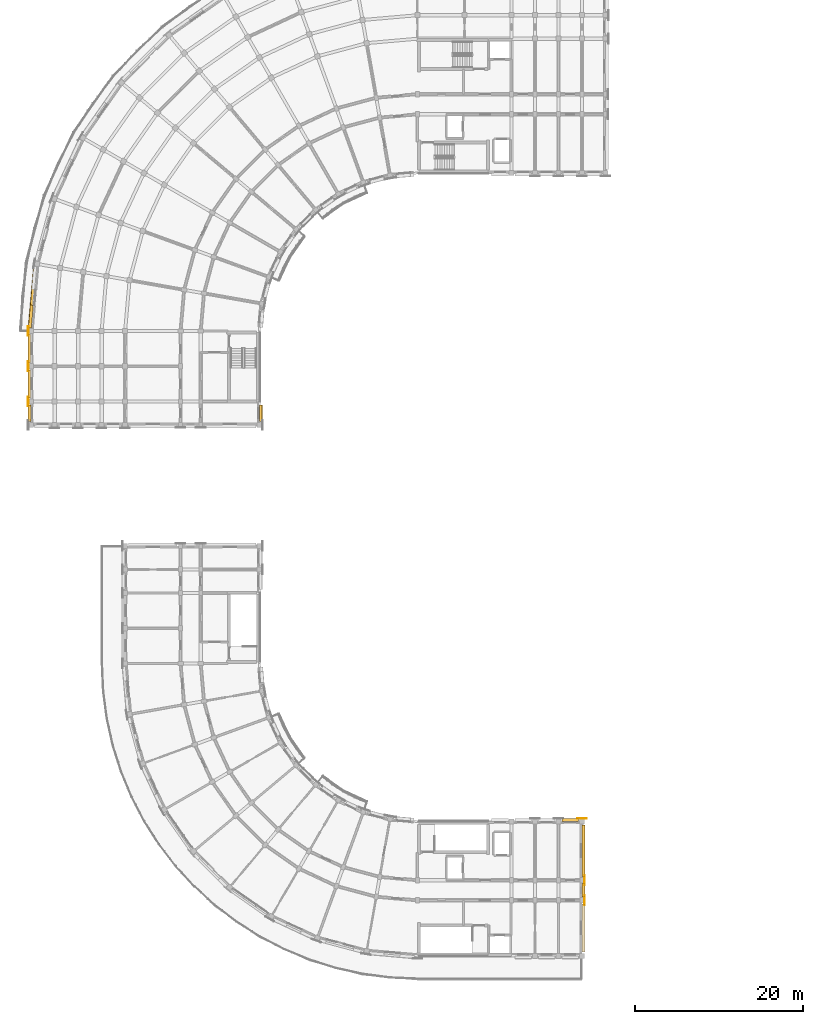
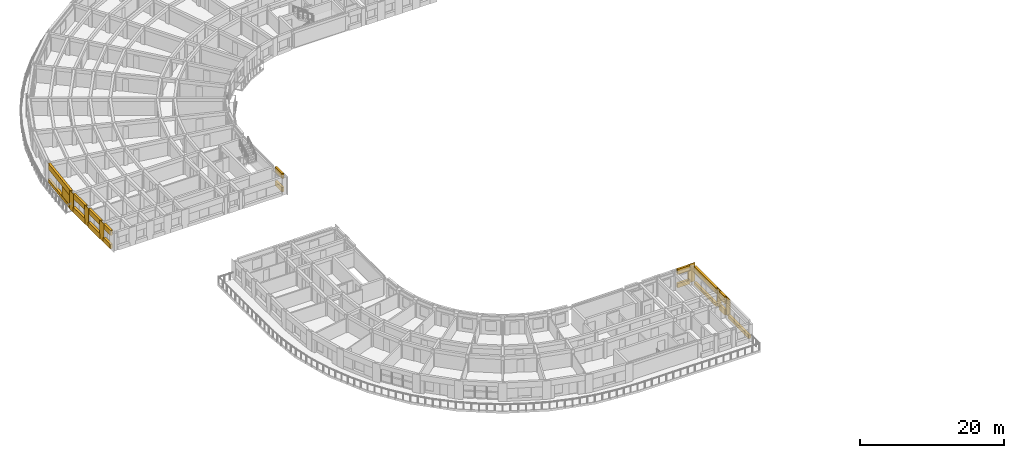
# One storey, part 40 of 53: 24 coverings.
"""IFC4 building model written with IfcOpenShell, lengths in metres."""

from ifc_helpers import new_model, si_unit, direction, frame, origin, place, context, subcontext, project, spatial, polyline, outline, extrude, material, layer, layer_set, type_object, element, save


model = new_model("IFC4")

# Units and contexts
model_context = context("Model", 3, precision=1e-05, world=origin(), true_north=direction((0.0, 1.0)))
body_context = subcontext(model_context, "Body", "Model", "MODEL_VIEW")
ifc_project = project(units=[si_unit("LENGTHUNIT", "METRE"), si_unit("AREAUNIT", "SQUARE_METRE"), si_unit("VOLUMEUNIT", "CUBIC_METRE"), si_unit("PLANEANGLEUNIT", "RADIAN"), si_unit("MASSUNIT", "GRAM", prefix="KILO")], contexts=[model_context])

# Site, building, storey
site_placement = place(None, origin())
site = spatial("IfcSite", under=ifc_project, at=site_placement, CompositionType="ELEMENT")
building_placement = place(site_placement, origin())
building = spatial("IfcBuilding", under=site, at=building_placement, Name="Kiranvali Square Residences", CompositionType="ELEMENT")
storey_placement = place(building_placement, frame((0.0, 0.0, 30.75)))
storey = spatial("IfcBuildingStorey", under=building, at=storey_placement, Name="L09", CompositionType="ELEMENT", Elevation=30.75)

# Coverings
ifc_material = material(Name="Honed Porbandar limestone ashlar facade cladding", Category="masonry")
ifc_layer_1 = layer(ifc_material, 0.3798828125)
ifc_layer_set_1 = layer_set([ifc_layer_1], Name="Honed Porbandar limestone ashlar facade cladding")
covering_type_1 = type_object("IfcCoveringType", Name="COV-CLAD-JAMB", PredefinedType="CLADDING", material=ifc_layer_set_1)
covering_1_placement = place(storey_placement, frame((0.0, 0.0, 0.52197265625)))
element("IfcCovering", 1, at=covering_1_placement, inside=storey, type_object=covering_type_1, Name="L09 deep limestone window jamb reveal A-L09-CRV-08.R", PredefinedType="CLADDING", context=body_context, shape_type="SweptSolid", body=[
    extrude(outline(polyline([(2.10791015625, 90.87890625), (1.871826171875, 88.179931640625), (2.22998046875, 88.148681640625), (2.466064453125, 90.84765625), (2.10791015625, 90.87890625)])), origin(), (0.0, 0.0, 1.0), 1.650146484375),
])
ifc_layer_2 = layer(ifc_material, 0.06494140625)
ifc_layer_set_2 = layer_set([ifc_layer_2], Name="Honed Porbandar limestone ashlar facade cladding")
covering_type_2 = type_object("IfcCoveringType", Name="COV-CLAD-PIER", PredefinedType="CLADDING", material=ifc_layer_set_2)
covering_2_placement = place(storey_placement, frame((0.0, 0.0, 0.0048828125)))
element("IfcCovering", 2, at=covering_2_placement, inside=storey, type_object=covering_type_2, Name="L09 Classical limestone corner pilaster CLAD-PR-A-L09-A09", PredefinedType="CLADDING", context=body_context, shape_type="SweptSolid", body=[
    extrude(outline(polyline([(1.83203125, 88.3798828125), (1.83203125, 87.219970703125), (1.8994140625, 87.219970703125), (1.8994140625, 88.3798828125), (1.83203125, 88.3798828125)])), origin(), (0.0, 0.0, 1.0), 3.14013671875),
])
ifc_layer_3 = layer(ifc_material, 0.050048828125)
ifc_layer_set_3 = layer_set([ifc_layer_3], Name="Honed Porbandar limestone ashlar facade cladding")
covering_type_3 = type_object("IfcCoveringType", Name="COV-CLAD-PIER-IN", PredefinedType="CLADDING", material=ifc_layer_set_3)
covering_3_placement = place(storey_placement, frame((0.0, 0.0, 0.0048828125)))
element("IfcCovering", 3, at=covering_3_placement, inside=storey, type_object=covering_type_3, Name="L09 Classical limestone pilaster casing CLAD-PRA1I-C-L09-U195", PredefinedType="CLADDING", context=body_context, shape_type="SweptSolid", body=[
    extrude(outline(polyline([(67.219970703125, 29.700439453125), (68.3798828125, 29.700439453125), (68.3798828125, 29.76806640625), (67.219970703125, 29.76806640625), (67.219970703125, 29.700439453125)])), origin(), (0.0, 0.0, 1.0), 3.14013671875),
])
ifc_layer_4 = layer(ifc_material, 0.054931640625)
ifc_layer_set_4 = layer_set([ifc_layer_4], Name="Honed Porbandar limestone ashlar facade cladding")
covering_type_4 = type_object("IfcCoveringType", Name="COV-CLAD-PIER-UP", PredefinedType="CLADDING", material=ifc_layer_set_4)
covering_4_placement = place(storey_placement, frame((0.0, 0.0, 0.0048828125)))
element("IfcCovering", 4, at=covering_4_placement, inside=storey, type_object=covering_type_4, Name="L09 Classical limestone pilaster casing CLAD-PR-A-L09-V42", PredefinedType="CLADDING", context=body_context, shape_type="SweptSolid", body=[
    extrude(outline(polyline([(1.83203125, 84.179931640625), (1.83203125, 83.02001953125), (1.8994140625, 83.02001953125), (1.8994140625, 84.179931640625), (1.83203125, 84.179931640625)])), origin(), (0.0, 0.0, 1.0), 3.14013671875),
])
covering_5_placement = place(storey_placement, frame((0.0, 0.0, 0.0048828125)))
element("IfcCovering", 5, at=covering_5_placement, inside=storey, type_object=covering_type_4, Name="L09 Classical limestone pilaster casing CLAD-PR-A-L09-V84", PredefinedType="CLADDING", context=body_context, shape_type="SweptSolid", body=[
    extrude(outline(polyline([(1.83203125, 79.97998046875), (1.83203125, 78.820068359375), (1.8994140625, 78.820068359375), (1.8994140625, 79.97998046875), (1.83203125, 79.97998046875)])), origin(), (0.0, 0.0, 1.0), 3.14013671875),
])
covering_6_placement = place(storey_placement, frame((0.0, 0.0, 0.0048828125)))
element("IfcCovering", 6, at=covering_6_placement, inside=storey, type_object=covering_type_4, Name="L09 Classical limestone pilaster casing CLAD-PRA1E-C-L09-R258", PredefinedType="CLADDING", context=body_context, shape_type="SweptSolid", body=[
    extrude(outline(polyline([(68.050537109375, 22.97998046875), (68.050537109375, 21.820068359375), (68.117919921875, 21.820068359375), (68.117919921875, 22.97998046875), (68.050537109375, 22.97998046875)])), origin(), (0.0, 0.0, 1.0), 3.14013671875),
])
covering_7_placement = place(storey_placement, frame((0.0, 0.0, 0.0048828125)))
element("IfcCovering", 7, at=covering_7_placement, inside=storey, type_object=covering_type_4, Name="L09 Classical limestone pilaster casing CLAD-PRA1E-C-L09-R282", PredefinedType="CLADDING", context=body_context, shape_type="SweptSolid", body=[
    extrude(outline(polyline([(68.050537109375, 20.580078125), (68.050537109375, 19.419921875), (68.117919921875, 19.419921875), (68.117919921875, 20.580078125), (68.050537109375, 20.580078125)])), origin(), (0.0, 0.0, 1.0), 3.14013671875),
])
ifc_layer_5 = layer(ifc_material, 0.360107421875)
ifc_layer_set_5 = layer_set([ifc_layer_5], Name="Honed Porbandar limestone ashlar facade cladding")
covering_type_5 = type_object("IfcCoveringType", Name="COV-CLAD-WALL", PredefinedType="CLADDING", material=ifc_layer_set_5)
covering_8_placement = place(storey_placement, frame((0.0, 0.0, 2.172119140625)))
element("IfcCovering", 8, at=covering_8_placement, inside=storey, type_object=covering_type_5, Name="L09 light limestone spandrel lintel A-L09-CRV-08", PredefinedType="CLADDING", context=body_context, shape_type="SweptSolid", body=[
    extrude(outline(polyline([(2.509765625, 95.470458984375), (1.871826171875, 88.179931640625), (2.22998046875, 88.148681640625), (2.867919921875, 95.439208984375), (2.509765625, 95.470458984375)])), origin(), (0.0, 0.0, 1.0), 0.972900390625),
])
covering_9_placement = place(storey_placement, frame((0.0, 0.0, 0.0048828125)))
element("IfcCovering", 9, at=covering_9_placement, inside=storey, type_object=covering_type_5, Name="L09 limestone window sill apron A-L09-CRV-08", PredefinedType="CLADDING", context=body_context, shape_type="SweptSolid", body=[
    extrude(outline(polyline([(2.479736328125, 95.47314453125), (1.842041015625, 88.1826171875), (2.22998046875, 88.148681640625), (2.867919921875, 95.439208984375), (2.479736328125, 95.47314453125)])), origin(), (0.0, 0.0, 1.0), 0.51708984375),
])
covering_10_placement = place(storey_placement, frame((0.0, 0.0, 2.280029296875)))
element("IfcCovering", 10, at=covering_10_placement, inside=storey, type_object=covering_type_5, Name="L09 light limestone spandrel lintel A-L09-A2O-0", PredefinedType="CLADDING", context=body_context, shape_type="SweptSolid", body=[
    extrude(outline(polyline([(1.85009765625, 87.3798828125), (1.85009765625, 84.02001953125), (2.199462890625, 84.02001953125), (2.199462890625, 87.3798828125), (1.85009765625, 87.3798828125)])), origin(), (0.0, 0.0, 1.0), 0.864990234375),
])
covering_11_placement = place(storey_placement, frame((0.0, 0.0, 0.0048828125)))
element("IfcCovering", 11, at=covering_11_placement, inside=storey, type_object=covering_type_5, Name="L09 limestone window sill apron A-L09-A2O-0", PredefinedType="CLADDING", context=body_context, shape_type="SweptSolid", body=[
    extrude(outline(polyline([(1.820068359375, 87.3798828125), (1.820068359375, 84.02001953125), (2.199462890625, 84.02001953125), (2.199462890625, 87.3798828125), (1.820068359375, 87.3798828125)])), origin(), (0.0, 0.0, 1.0), 0.875),
])
covering_12_placement = place(storey_placement, frame((0.0, 0.0, 2.280029296875)))
element("IfcCovering", 12, at=covering_12_placement, inside=storey, type_object=covering_type_5, Name="L09 light limestone spandrel lintel A-L09-A2O-1", PredefinedType="CLADDING", context=body_context, shape_type="SweptSolid", body=[
    extrude(outline(polyline([(1.85009765625, 83.179931640625), (1.85009765625, 79.820068359375), (2.199462890625, 79.820068359375), (2.199462890625, 83.179931640625), (1.85009765625, 83.179931640625)])), origin(), (0.0, 0.0, 1.0), 0.864990234375),
])
covering_13_placement = place(storey_placement, frame((0.0, 0.0, 0.0048828125)))
element("IfcCovering", 13, at=covering_13_placement, inside=storey, type_object=covering_type_5, Name="L09 limestone window sill apron A-L09-A2O-1", PredefinedType="CLADDING", context=body_context, shape_type="SweptSolid", body=[
    extrude(outline(polyline([(1.820068359375, 83.179931640625), (1.820068359375, 79.820068359375), (2.199462890625, 79.820068359375), (2.199462890625, 83.179931640625), (1.820068359375, 83.179931640625)])), origin(), (0.0, 0.0, 1.0), 0.875),
])
covering_14_placement = place(storey_placement, frame((0.0, 0.0, 2.27197265625)))
element("IfcCovering", 14, at=covering_14_placement, inside=storey, type_object=covering_type_5, Name="L09 light limestone spandrel lintel A-L09-A2O-2", PredefinedType="CLADDING", context=body_context, shape_type="SweptSolid", body=[
    extrude(outline(polyline([(1.85009765625, 78.97998046875), (1.85009765625, 77.02001953125), (2.199462890625, 77.02001953125), (2.199462890625, 78.97998046875), (1.85009765625, 78.97998046875)])), origin(), (0.0, 0.0, 1.0), 0.873046875),
])
covering_15_placement = place(storey_placement, frame((0.0, 0.0, 0.0048828125)))
element("IfcCovering", 15, at=covering_15_placement, inside=storey, type_object=covering_type_5, Name="L09 limestone window sill apron A-L09-A2O-2", PredefinedType="CLADDING", context=body_context, shape_type="SweptSolid", body=[
    extrude(outline(polyline([(1.820068359375, 78.97998046875), (1.820068359375, 77.02001953125), (2.199462890625, 77.02001953125), (2.199462890625, 78.97998046875), (1.820068359375, 78.97998046875)])), origin(), (0.0, 0.0, 1.0), 0.76708984375),
])
covering_16_placement = place(storey_placement, frame((0.0, 0.0, 2.27197265625)))
element("IfcCovering", 16, at=covering_16_placement, inside=storey, type_object=covering_type_5, Name="L09 light limestone spandrel lintel A-L09-A2I-0", PredefinedType="CLADDING", context=body_context, shape_type="SweptSolid", body=[
    extrude(outline(polyline([(29.400390625, 78.97998046875), (29.400390625, 77.02001953125), (29.719970703125, 77.02001953125), (29.719970703125, 78.97998046875), (29.400390625, 78.97998046875)])), origin(), (0.0, 0.0, 1.0), 0.873046875),
])
covering_17_placement = place(storey_placement, frame((0.0, 0.0, 0.0048828125)))
element("IfcCovering", 17, at=covering_17_placement, inside=storey, type_object=covering_type_5, Name="L09 limestone window sill apron A-L09-A2I-0", PredefinedType="CLADDING", context=body_context, shape_type="SweptSolid", body=[
    extrude(outline(polyline([(29.400390625, 78.97998046875), (29.400390625, 77.02001953125), (29.75, 77.02001953125), (29.75, 78.97998046875), (29.400390625, 78.97998046875)])), origin(), (0.0, 0.0, 1.0), 0.76708984375),
])
covering_18_placement = place(storey_placement, frame((0.0, 0.0, 2.251953125)))
element("IfcCovering", 18, at=covering_18_placement, inside=storey, type_object=covering_type_5, Name="L09 light limestone spandrel lintel C-L09-A1I-2", PredefinedType="CLADDING", context=body_context, shape_type="SweptSolid", body=[
    extrude(outline(polyline([(65.419921875, 29.400390625), (67.3798828125, 29.400390625), (67.3798828125, 29.719970703125), (65.419921875, 29.719970703125), (65.419921875, 29.400390625)])), origin(), (0.0, 0.0, 1.0), 0.89306640625),
])
covering_19_placement = place(storey_placement, frame((0.0, 0.0, 0.0048828125)))
element("IfcCovering", 19, at=covering_19_placement, inside=storey, type_object=covering_type_5, Name="L09 limestone window sill apron C-L09-A1I-2", PredefinedType="CLADDING", context=body_context, shape_type="SweptSolid", body=[
    extrude(outline(polyline([(65.419921875, 29.400390625), (67.3798828125, 29.400390625), (67.3798828125, 29.75), (65.419921875, 29.75), (65.419921875, 29.400390625)])), origin(), (0.0, 0.0, 1.0), 0.7470703125),
])
covering_20_placement = place(storey_placement, frame((0.0, 0.0, 2.152099609375)))
element("IfcCovering", 20, at=covering_20_placement, inside=storey, type_object=covering_type_5, Name="L09 light limestone spandrel lintel C-L09-A1END-0", PredefinedType="CLADDING", context=body_context, shape_type="SweptSolid", body=[
    extrude(outline(polyline([(67.800537109375, 28.97998046875), (67.800537109375, 22.820068359375), (68.139892578125, 22.820068359375), (68.139892578125, 28.97998046875), (67.800537109375, 28.97998046875)])), origin(), (0.0, 0.0, 1.0), 0.992919921875),
])
covering_21_placement = place(storey_placement, frame((0.0, 0.0, 0.0048828125)))
element("IfcCovering", 21, at=covering_21_placement, inside=storey, type_object=covering_type_5, Name="L09 limestone window sill apron C-L09-A1END-0", PredefinedType="CLADDING", context=body_context, shape_type="SweptSolid", body=[
    extrude(outline(polyline([(67.800537109375, 28.97998046875), (67.800537109375, 22.820068359375), (68.169921875, 22.820068359375), (68.169921875, 28.97998046875), (67.800537109375, 28.97998046875)])), origin(), (0.0, 0.0, 1.0), 0.4970703125),
])
covering_22_placement = place(storey_placement, frame((0.0, 0.0, 1.929931640625)))
element("IfcCovering", 22, at=covering_22_placement, inside=storey, type_object=covering_type_5, Name="L09 light limestone spandrel lintel C-L09-A1END-1", PredefinedType="CLADDING", context=body_context, shape_type="SweptSolid", body=[
    extrude(outline(polyline([(67.800537109375, 21.97998046875), (67.800537109375, 20.419921875), (68.139892578125, 20.419921875), (68.139892578125, 21.97998046875), (67.800537109375, 21.97998046875)])), origin(), (0.0, 0.0, 1.0), 1.215087890625),
])
covering_23_placement = place(storey_placement, frame((0.0, 0.0, 0.0048828125)))
element("IfcCovering", 23, at=covering_23_placement, inside=storey, type_object=covering_type_5, Name="L09 limestone window sill apron C-L09-A1END-1", PredefinedType="CLADDING", context=body_context, shape_type="SweptSolid", body=[
    extrude(outline(polyline([(67.800537109375, 21.97998046875), (67.800537109375, 20.419921875), (68.169921875, 20.419921875), (68.169921875, 21.97998046875), (67.800537109375, 21.97998046875)])), origin(), (0.0, 0.0, 1.0), 0.875),
])
covering_24_placement = place(storey_placement, frame((0.0, 0.0, 0.0048828125)))
element("IfcCovering", 24, at=covering_24_placement, inside=storey, type_object=covering_type_5, Name="L09 limestone window sill apron C-L09-A1END-2", PredefinedType="CLADDING", context=body_context, shape_type="SweptSolid", body=[
    extrude(outline(polyline([(67.800537109375, 19.580078125), (67.800537109375, 13.820068359375), (68.169921875, 13.820068359375), (68.169921875, 19.580078125), (67.800537109375, 19.580078125)])), origin(), (0.0, 0.0, 1.0), 0.605224609375),
])

save(model, "model.ifc")
